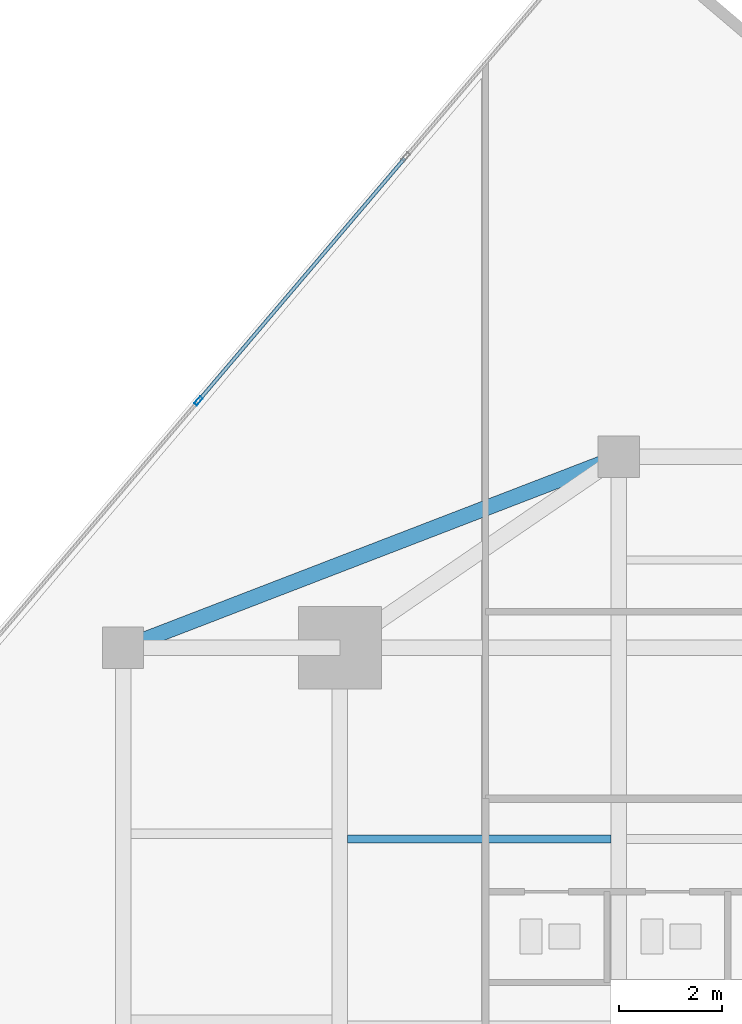
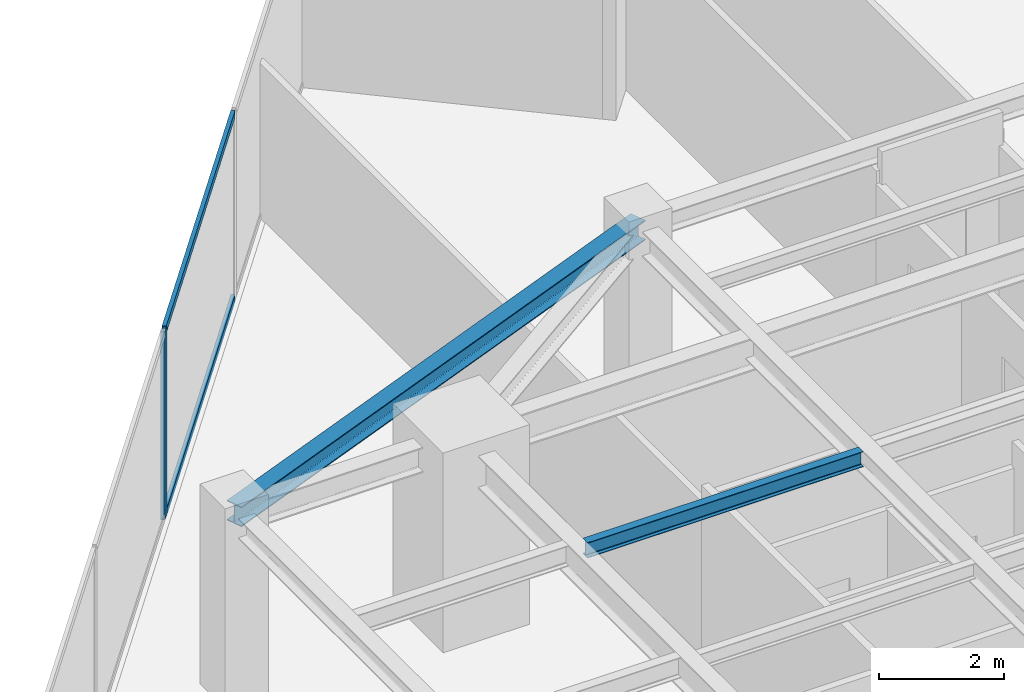
# One storey, part 15 of 26: 3 members, 2 beams, 1 element without a shape of its own.
"""IFC4 building model written with IfcOpenShell, lengths in metres."""

from ifc_helpers import new_model, si_unit, direction, frame, origin, origin_2d, place, context, subcontext, project, spatial, hollow_rectangle, i_section, extrude, source, transform, mapped, material, material_profile, profile_set, type_object, type_shapes, element, aggregate, save


model = new_model("IFC4")

# Units and contexts
model_context = context("Model", 3, precision=1e-05, world=origin(), true_north=direction((0.0, 1.0)))
body_context = subcontext(model_context, "Body", "Model", "MODEL_VIEW")
ifc_project = project(units=[si_unit("LENGTHUNIT", "METRE"), si_unit("AREAUNIT", "SQUARE_METRE"), si_unit("VOLUMEUNIT", "CUBIC_METRE"), si_unit("PLANEANGLEUNIT", "RADIAN"), si_unit("MASSUNIT", "GRAM", prefix="KILO")], contexts=[model_context])

# Site, building, storey
site_placement = place(None, origin())
site = spatial("IfcSite", under=ifc_project, at=site_placement, CompositionType="ELEMENT")
building_placement = place(site_placement, origin())
building = spatial("IfcBuilding", under=site, at=building_placement, Name="Krantzveldt Concourse Tower", CompositionType="ELEMENT")
storey_placement = place(building_placement, frame((0.0, 0.0, 207.300048828125)))
storey = spatial("IfcBuildingStorey", under=building, at=storey_placement, Name="L50", CompositionType="ELEMENT", Elevation=207.300048828125)

# Beams
ifc_material_1 = material(Name="Steel S355JR", Category="steel")
ifc_material_profile_1 = material_profile(ifc_material_1, i_section(OverallWidth=0.300048828125, OverallDepth=0.389892578125, WebThickness=0.010986328125, FlangeThickness=0.01904296875, FilletRadius=0.027099609375, at=origin_2d()), Name="Steel S355JR", Category="steel")
ifc_profile_set_1 = profile_set([ifc_material_profile_1], Name="Steel S355JR - HEA 400")
beam_type_1 = type_object("IfcBeamType", Name="BM-SP-HEA400", PredefinedType="SPANDREL", material=ifc_profile_set_1)
shared_shape_1 = source(origin(), body_context, "Body", "SweptSolid", [
    extrude(i_section(OverallWidth=0.300048828125, OverallDepth=0.389892578125, WebThickness=0.010986328125, FlangeThickness=0.01904296875, FilletRadius=0.027099609375, at=origin_2d()), origin(), (0.0, 0.0, 1.0), 10.288330078125),
])
type_shapes(beam_type_1, [shared_shape_1])
beam_1_placement = place(storey_placement, frame((21.0, 37.5, 3.474853515625), z_axis=(0.933097690408, 0.359622997257, 0.0), x_axis=(-0.359622997257, 0.933097690408, 0.0)))
element("IfcBeam", 1, at=beam_1_placement, inside=storey, type_object=beam_type_1, Name="L50 Tower Girder SP-R03", PredefinedType="SPANDREL", context=body_context, shape_type="MappedRepresentation", body=[
    mapped(shared_shape_1, transform((0.0, 0.0, 0.0), x_axis=(1.0, 0.0, 0.0), y_axis=(0.0, 1.0, 0.0), z_axis=(0.0, 0.0, 1.0), scale=1.0)),
])
ifc_material_profile_2 = material_profile(ifc_material_1, i_section(OverallWidth=0.14990234375, OverallDepth=0.300048828125, WebThickness=0.007080078125, FlangeThickness=0.0107421875, FilletRadius=0.014892578125, at=origin_2d()), Name="Steel S355JR", Category="steel")
ifc_profile_set_2 = profile_set([ifc_material_profile_2], Name="Steel S355JR - IPE 300")
beam_type_2 = type_object("IfcBeamType", Name="BM-J-IPE300", PredefinedType="JOIST", material=ifc_profile_set_2)
shared_shape_2 = source(origin(), body_context, "Body", "SweptSolid", [
    extrude(i_section(OverallWidth=0.14990234375, OverallDepth=0.300048828125, WebThickness=0.007080078125, FlangeThickness=0.0107421875, FilletRadius=0.014892578125, at=origin_2d()), origin(), (0.0, 0.0, 1.0), 5.099853515625),
])
type_shapes(beam_type_2, [shared_shape_2])
beam_2_placement = place(storey_placement, frame((25.35009765625, 33.800048828125, 3.52001953125), z_axis=(1.0, 0.0, 0.0), x_axis=(0.0, 1.0, 0.0)))
element("IfcBeam", 2, at=beam_2_placement, inside=storey, type_object=beam_type_2, Name="L50 Secondary Floor Joist JN-W2", PredefinedType="JOIST", context=body_context, shape_type="MappedRepresentation", body=[
    mapped(shared_shape_2, transform((0.0, 0.0, 0.0), x_axis=(1.0, 0.0, 0.0), y_axis=(0.0, 1.0, 0.0), z_axis=(0.0, 0.0, 1.0), scale=1.0)),
])

# Curtain wall, members
ifc_material_2 = material(Name="Anodised aluminium 6063-T6", Category="aluminium")
curtain_wall_type = type_object("IfcCurtainWallType", Name="CW3", PredefinedType="USERDEFINED", material=ifc_material_2)
curtain_wall_placement = place(storey_placement, origin())
curtain_wall = element("IfcCurtainWall", 3, at=curtain_wall_placement, inside=storey, type_object=curtain_wall_type, Name="CW-L50-F01", ObjectType="UNITISED CURTAIN WALL", PredefinedType="USERDEFINED")
ifc_material_profile_3 = material_profile(ifc_material_2, hollow_rectangle(XDim=0.070068359375, YDim=0.179931640625, WallThickness=0.0048828125, at=origin_2d()), Name="Anodised aluminium 6063-T6", Category="aluminium")
ifc_profile_set_3 = profile_set([ifc_material_profile_3], Name="Anodised aluminium 6063-T6 - ALU-MULL 180x70x5")
member_type_1 = type_object("IfcMemberType", Name="CW-MUL-180", PredefinedType="MULLION", material=ifc_profile_set_3)
shared_shape_3 = source(origin(), body_context, "Body", "SweptSolid", [
    extrude(hollow_rectangle(XDim=0.070068359375, YDim=0.179931640625, WallThickness=0.0048828125, at=origin_2d()), origin(), (0.0, 0.0, 1.0), 3.669921875),
])
type_shapes(member_type_1, [shared_shape_3])
member_1_placement = place(storey_placement, frame((22.45947265625, 42.282958984375, 0.0), z_axis=(0.0, 0.0, 1.0), x_axis=(0.761820912327, -0.647787694805, 0.0)))
member_1 = element("IfcMember", 4, at=member_1_placement, type_object=member_type_1, Name="CW-Z34 mullion 3", PredefinedType="MULLION", context=body_context, shape_type="MappedRepresentation", body=[
    mapped(shared_shape_3, transform((0.0, 0.0, 0.0), x_axis=(1.0, 0.0, 0.0), y_axis=(0.0, 1.0, 0.0), z_axis=(0.0, 0.0, 1.0), scale=1.0)),
])
ifc_material_profile_4 = material_profile(ifc_material_2, hollow_rectangle(XDim=0.070068359375, YDim=0.139892578125, WallThickness=0.0048828125, at=origin_2d()), Name="Anodised aluminium 6063-T6", Category="aluminium")
ifc_profile_set_4 = profile_set([ifc_material_profile_4], Name="Anodised aluminium 6063-T6 - ALU-TRAN 140x70x5")
member_type_2 = type_object("IfcMemberType", Name="CW-TRN-150", PredefinedType="USERDEFINED", material=ifc_profile_set_4)
shared_shape_4 = source(origin(), body_context, "Body", "SweptSolid", [
    extrude(hollow_rectangle(XDim=0.070068359375, YDim=0.139892578125, WallThickness=0.0048828125, at=origin_2d()), origin(), (0.0, 0.0, 1.0), 6.130126953125),
])
type_shapes(member_type_2, [shared_shape_4])
member_2_placement = place(storey_placement, frame((26.452880859375, 46.979736328125, 0.034912109375), z_axis=(-0.647772109575, -0.761834164406, 0.0), x_axis=(0.761834164406, -0.647772109575, 0.0)))
member_2 = element("IfcMember", 5, at=member_2_placement, type_object=member_type_2, Name="CW-Z34 transom 2.1", ObjectType="TRANSOM", PredefinedType="USERDEFINED", context=body_context, shape_type="MappedRepresentation", body=[
    mapped(shared_shape_4, transform((0.0, 0.0, 0.0), x_axis=(1.0, 0.0, 0.0), y_axis=(0.0, 1.0, 0.0), z_axis=(0.0, 0.0, 1.0), scale=1.0)),
])
member_3_placement = place(storey_placement, frame((26.452880859375, 46.979736328125, 3.635009765625), z_axis=(-0.647772109575, -0.761834164406, 0.0), x_axis=(0.761834164406, -0.647772109575, 0.0)))
member_3 = element("IfcMember", 6, at=member_3_placement, type_object=member_type_2, Name="CW-Z34 transom 2.2", ObjectType="TRANSOM", PredefinedType="USERDEFINED", context=body_context, shape_type="MappedRepresentation", body=[
    mapped(shared_shape_4, transform((0.0, 0.0, 0.0), x_axis=(1.0, 0.0, 0.0), y_axis=(0.0, 1.0, 0.0), z_axis=(0.0, 0.0, 1.0), scale=1.0)),
])
aggregate(curtain_wall, [member_1, member_2, member_3])

save(model, "model.ifc")
